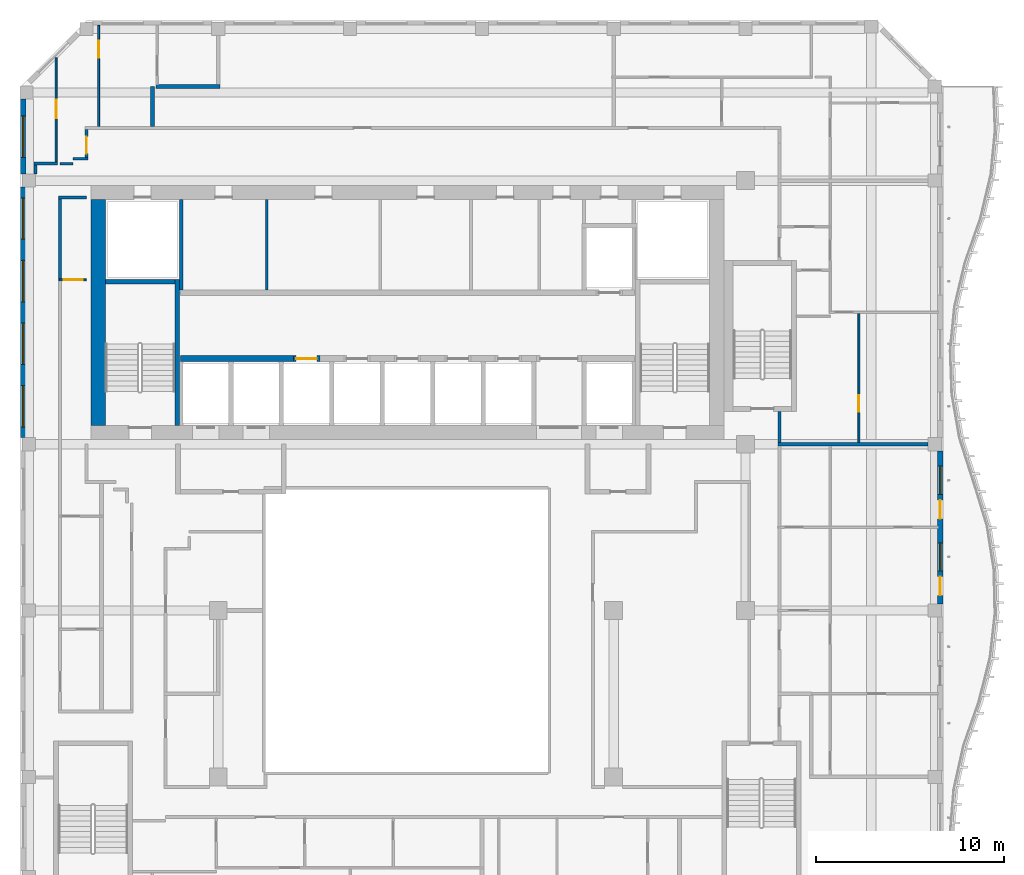
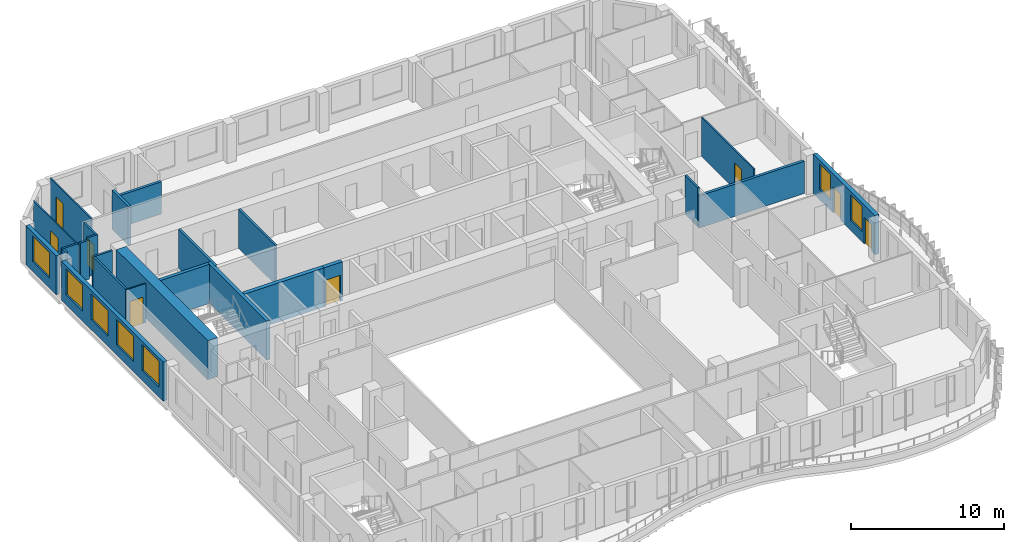
# One storey, part 6 of 19: 25 walls, 8 doors, 7 windows, 15 openings.
"""IFC4 building model written with IfcOpenShell, lengths in metres."""

import ifcopenshell
import ifcopenshell.guid

model = None  # the IFC model being written
_history = None  # IfcOwnerHistory: only IFC2X3 demands one
_inside = {}  # id of a spatial element -> (the spatial element, [elements in it])
_under = {}  # id of a project, library or spatial element -> (it, [spatial elements below it])
_declared = {}  # id of a project -> (the project, [libraries it declares])
_typed = {}  # id of a type object -> (the type object, [elements of that type])
_made_of = {}  # id of a material, layer set ... -> (it, [elements and type objects made of it])


def new_model(schema):
    """Start an empty IFC model of exactly this schema.

    Asked for "IFC4X3", IfcOpenShell would pick the latest addendum, in which some entities
    have other attributes; the version numbers below select the first issue.
    IFC2X3 requires an IfcOwnerHistory on every rooted entity: one is made here for all.
    """
    global model, _history
    if schema == "IFC4X3":
        model = ifcopenshell.file(schema_version=(4, 3, 0, 0))
    else:
        model = ifcopenshell.file(schema=schema)
    _inside.clear()
    _under.clear()
    _declared.clear()
    _typed.clear()
    _made_of.clear()
    _history = None
    if model.schema == "IFC2X3":
        org = make("IfcOrganization", Name="unknown")
        user = make(
            "IfcPersonAndOrganization",
            ThePerson=make("IfcPerson", FamilyName="unknown"),
            TheOrganization=org,
        )
        app = make(
            "IfcApplication",
            ApplicationDeveloper=org,
            Version="unknown",
            ApplicationFullName="unknown",
            ApplicationIdentifier="unknown",
        )
        _history = make(
            "IfcOwnerHistory",
            OwningUser=user,
            OwningApplication=app,
            ChangeAction="ADDED",
            CreationDate=0,
        )
    return model


def make(cls, **values):
    """One entity of the class cls with the attributes given. An attribute that is None is left unset."""
    return model.create_entity(
        cls, **{name: value for name, value in values.items() if value is not None}
    )


def rooted(cls, **values):
    """An entity with a GlobalId (a new one), such as an element, a storey or a relation."""
    return make(cls, GlobalId=ifcopenshell.guid.new(), OwnerHistory=_history, **values)


def si_unit(unit_type, name, prefix=None):
    """IfcSIUnit, for example si_unit("LENGTHUNIT", "METRE", prefix="MILLI")."""
    return make("IfcSIUnit", UnitType=unit_type, Prefix=prefix, Name=name)


def assignment(units):
    """IfcUnitAssignment: the units of a project."""
    return None if units is None else make("IfcUnitAssignment", Units=units)


def point(xyz):
    """IfcCartesianPoint."""
    return None if xyz is None else make("IfcCartesianPoint", Coordinates=xyz)


def direction(xyz):
    """IfcDirection."""
    return None if xyz is None else make("IfcDirection", DirectionRatios=xyz)


def frame(location, z_axis=None, x_axis=None):
    """IfcAxis2Placement3D, a coordinate frame: its origin and axes. An axis left out is left unset."""
    return make(
        "IfcAxis2Placement3D",
        Location=point(location),
        Axis=direction(z_axis),
        RefDirection=direction(x_axis),
    )


def frame_2d(location, x_axis=None):
    """IfcAxis2Placement2D, a coordinate frame in the plane: its origin and x axis."""
    return make(
        "IfcAxis2Placement2D", Location=point(location), RefDirection=direction(x_axis)
    )


def origin():
    """The frame at (0, 0, 0) with its axes left unset."""
    return frame((0.0, 0.0, 0.0))


def place(relative_to, where):
    """IfcLocalPlacement: puts the frame where relative to a parent placement (None: the world)."""
    return make(
        "IfcLocalPlacement", PlacementRelTo=relative_to, RelativePlacement=where
    )


def context(
    kind, dimensions, precision=None, world=None, true_north=None, identifier=None
):
    """IfcGeometricRepresentationContext, for example the 3D "Model" context."""
    return make(
        "IfcGeometricRepresentationContext",
        ContextIdentifier=identifier,
        ContextType=kind,
        CoordinateSpaceDimension=dimensions,
        Precision=precision,
        WorldCoordinateSystem=world,
        TrueNorth=true_north,
    )


def subcontext(parent, identifier, kind, view, scale=None):
    """IfcGeometricRepresentationSubContext, for example "Body" below "Model"."""
    return make(
        "IfcGeometricRepresentationSubContext",
        ContextIdentifier=identifier,
        ContextType=kind,
        ParentContext=parent,
        TargetScale=scale,
        TargetView=view,
    )


def project(units=None, contexts=None):
    """IfcProject with its units and contexts."""
    return rooted(
        "IfcProject",
        Name="project",
        RepresentationContexts=contexts,
        UnitsInContext=assignment(units),
    )


def spatial(cls, under=None, at=None, **own):
    """A site, building, storey or space (cls), placed at a placement, below another one or the project."""
    s = rooted(cls, ObjectPlacement=at, **own)
    if under is not None:
        _under.setdefault(under.id(), (under, []))[1].append(s)
    return s


def profile(cls, at=None, kind="AREA", **sizes):
    """A parametric profile (cls). Its sizes go by their IFC names, for example OverallWidth=200.0."""
    return make(cls, ProfileType=kind, Position=at, **sizes)


def rectangle(**sizes):
    """IfcRectangleProfileDef."""
    return profile("IfcRectangleProfileDef", **sizes)


def extrude(swept, where, along, depth):
    """IfcExtrudedAreaSolid: the profile swept, set in the frame where, extruded along a direction by depth."""
    return make(
        "IfcExtrudedAreaSolid",
        SweptArea=swept,
        Position=where,
        ExtrudedDirection=direction(along),
        Depth=depth,
    )


def shape(context_of_items, identifier, shape_type, items):
    """IfcShapeRepresentation: the items that make up one representation, for example the "Body"."""
    return make(
        "IfcShapeRepresentation",
        ContextOfItems=context_of_items,
        RepresentationIdentifier=identifier,
        RepresentationType=shape_type,
        Items=items,
    )


def source(mapping_origin, context_of_items, identifier, shape_type, items):
    """IfcRepresentationMap: a shape defined once, which mapped items show again and again."""
    return make(
        "IfcRepresentationMap",
        MappingOrigin=mapping_origin,
        MappedRepresentation=shape(context_of_items, identifier, shape_type, items),
    )


def transform(
    local_origin,
    x_axis=None,
    y_axis=None,
    z_axis=None,
    scale=None,
    scale2=None,
    scale3=None,
    uniform=True,
):
    """IfcCartesianTransformationOperator3D, or its non-uniform kind. x_axis, y_axis, z_axis: its Axis1, 2, 3."""
    if uniform:
        return make(
            "IfcCartesianTransformationOperator3D",
            Axis1=direction(x_axis),
            Axis2=direction(y_axis),
            LocalOrigin=point(local_origin),
            Scale=scale,
            Axis3=direction(z_axis),
        )
    return make(
        "IfcCartesianTransformationOperator3DnonUniform",
        Axis1=direction(x_axis),
        Axis2=direction(y_axis),
        LocalOrigin=point(local_origin),
        Scale=scale,
        Axis3=direction(z_axis),
        Scale2=scale2,
        Scale3=scale3,
    )


def mapped(mapping_source, mapping_target):
    """IfcMappedItem: shows the shape of a source again, moved by a transform."""
    return make(
        "IfcMappedItem", MappingSource=mapping_source, MappingTarget=mapping_target
    )


def material(Name=None, Category=None):
    """IfcMaterial."""
    return make("IfcMaterial", Name=Name, Category=Category)


def layer(
    of_material, thickness, ventilated=None, Name=None, Category=None, Priority=None
):
    """IfcMaterialLayer: one layer of a wall or slab, of a material (None: an air gap)."""
    return make(
        "IfcMaterialLayer",
        Material=of_material,
        LayerThickness=thickness,
        IsVentilated=ventilated,
        Name=Name,
        Category=Category,
        Priority=Priority,
    )


def layer_set(layers, Name=None):
    """IfcMaterialLayerSet."""
    return make("IfcMaterialLayerSet", MaterialLayers=layers, LayerSetName=Name)


def made_of(thing, what):
    """Note that an element or type object is made of a material, layer set ...; save() writes the relation."""
    if what is not None:
        _made_of.setdefault(what.id(), (what, []))[1].append(thing)
    return thing


def type_object(cls, material=None, **own):
    """A type object (cls), such as IfcWallType, which elements share."""
    return made_of(rooted(cls, **own), material)


def element(
    cls,
    number,
    at=None,
    inside=None,
    cuts=None,
    type_object=None,
    material=None,
    context=None,
    identifier="Body",
    shape_type=None,
    held_by="IfcProductDefinitionShape",
    body=None,
    shapes=None,
    **own,
):
    """One element of the class cls, such as IfcWall. Its Tag is "e" and its number.

    at: its placement. inside: the storey or other place that contains it. cuts: it is an
    opening in that element (IfcRelVoidsElement). A single representation is given by context,
    identifier, shape_type and body (its items); several are given by shapes. held_by: the class
    of the entity that holds the representations. save() writes the other relations.
    """
    e = rooted(cls, Tag="e%d" % number, ObjectPlacement=at, **own)
    if body is not None:
        shapes = [shape(context, identifier, shape_type, body)]
    if shapes is not None:
        e.Representation = make(held_by, Representations=shapes)
    if inside is not None:
        _inside.setdefault(inside.id(), (inside, []))[1].append(e)
    if cuts is not None:
        rooted(
            "IfcRelVoidsElement", RelatingBuildingElement=cuts, RelatedOpeningElement=e
        )
    if type_object is not None:
        _typed.setdefault(type_object.id(), (type_object, []))[1].append(e)
    return made_of(e, material)


def fill(opening, filler):
    """IfcRelFillsElement: the door or window that sits in an opening."""
    return rooted(
        "IfcRelFillsElement",
        RelatingOpeningElement=opening,
        RelatedBuildingElement=filler,
    )


def aggregate(whole, parts):
    """IfcRelAggregates: a whole, such as a stair, and the parts it consists of."""
    return rooted("IfcRelAggregates", RelatingObject=whole, RelatedObjects=parts)


def save(model, path):
    """Write the relations noted so far, then the file.

    IfcRelAggregates (storeys below a building ...), IfcRelContainedInSpatialStructure (elements
    in a storey), IfcRelDefinesByType, IfcRelAssociatesMaterial and IfcRelDeclares: one each for
    every whole, place, type object, material and project.
    """
    for whole, parts in _under.values():
        aggregate(whole, parts)
    for where, things in _inside.values():
        rooted(
            "IfcRelContainedInSpatialStructure",
            RelatedElements=things,
            RelatingStructure=where,
        )
    for kind, things in _typed.values():
        rooted("IfcRelDefinesByType", RelatedObjects=things, RelatingType=kind)
    for what, things in _made_of.values():
        rooted("IfcRelAssociatesMaterial", RelatedObjects=things, RelatingMaterial=what)
    for by, libraries in _declared.values():
        rooted("IfcRelDeclares", RelatingContext=by, RelatedDefinitions=libraries)
    model.write(path)


model = new_model("IFC4")

# Units and contexts
model_context = context("Model", 3, precision=1e-05, world=origin(), true_north=direction((0.0, 1.0)))
body_context = subcontext(model_context, "Body", "Model", "MODEL_VIEW")
ifc_project = project(units=[si_unit("LENGTHUNIT", "METRE"), si_unit("AREAUNIT", "SQUARE_METRE"), si_unit("VOLUMEUNIT", "CUBIC_METRE"), si_unit("PLANEANGLEUNIT", "RADIAN"), si_unit("MASSUNIT", "GRAM", prefix="KILO")], contexts=[model_context])

# Site, building, storey
site_placement = place(None, origin())
site = spatial("IfcSite", under=ifc_project, at=site_placement, CompositionType="ELEMENT")
building_placement = place(site_placement, origin())
building = spatial("IfcBuilding", under=site, at=building_placement, Name="Kilnfold Tower and Market Hall", CompositionType="ELEMENT")
storey_placement = place(building_placement, frame((0.0, 0.0, 242.39990234375)))
storey = spatial("IfcBuildingStorey", under=building, at=storey_placement, Name="L58", CompositionType="ELEMENT", Elevation=242.39990234375)

# Walls
ifc_material_1 = material(Name="Gypsum board on steel studs", Category="steel")
ifc_layer_1 = layer(ifc_material_1, 0.14990234375)
ifc_layer_set_1 = layer_set([ifc_layer_1], Name="Gypsum board on steel studs")
wall_type_1 = type_object("IfcWallType", Name="WALL CORRIDOR 150", PredefinedType="PARTITIONING", material=ifc_layer_set_1)
wall_1_placement = place(storey_placement, frame((-17.47509765625, 21.10009765625, 0.0), z_axis=(0.0, 0.0, 1.0), x_axis=(1.0, 0.0, 0.0)))
element("IfcWall", 1, at=wall_1_placement, inside=storey, type_object=wall_type_1, Name="Partition LY35.7", PredefinedType="PARTITIONING", context=body_context, shape_type="SweptSolid", body=[
    extrude(rectangle(XDim=1.47509765625, YDim=0.14990234375, at=frame_2d((0.737548828125, 0.0))), origin(), (0.0, 0.0, 1.0), 3.1201171875),
])
wall_2_placement = place(storey_placement, frame((-17.39990234375, 16.77099609375, 0.0), z_axis=(0.0, 0.0, 1.0), x_axis=(0.0, 1.0, 0.0)))
element("IfcWall", 2, at=wall_2_placement, inside=storey, type_object=wall_type_1, Name="Partition LY35.8", PredefinedType="PARTITIONING", context=body_context, shape_type="SweptSolid", body=[
    extrude(rectangle(XDim=4.25390625, YDim=0.14990234375, at=frame_2d((2.126953125, 0.0))), origin(), (0.0, 0.0, 1.0), 3.1201171875),
])
wall_3_placement = place(storey_placement, frame((20.800048828125, 8.090087890625, 0.0), z_axis=(0.0, 0.0, 1.0), x_axis=(0.0, 1.0, 0.0)))
element("IfcWall", 3, at=wall_3_placement, inside=storey, type_object=wall_type_1, Name="Partition LY35.16", PredefinedType="PARTITIONING", context=body_context, shape_type="SweptSolid", body=[
    extrude(rectangle(XDim=1.659912109375, YDim=0.14990234375, at=frame_2d((0.830078125, 0.0))), origin(), (0.0, 0.0, 1.0), 3.1201171875),
])
wall_4_placement = place(storey_placement, frame((-17.550048828125, 22.902099609375, 0.0), z_axis=(0.0, 0.0, 1.0), x_axis=(-1.0, 0.0, 0.0)))
element("IfcWall", 4, at=wall_4_placement, inside=storey, type_object=wall_type_1, Name="Partition LY35.22", PredefinedType="PARTITIONING", context=body_context, shape_type="SweptSolid", body=[
    extrude(rectangle(XDim=1.22705078125, YDim=0.14990234375, at=frame_2d((0.613525390625, 0.0))), origin(), (0.0, 0.0, 1.0), 3.1201171875),
])
wall_5_placement = place(storey_placement, frame((-18.701904296875, 22.826904296875, 0.0), z_axis=(0.0, 0.0, 1.0), x_axis=(0.0, -1.0, 0.0)))
element("IfcWall", 5, at=wall_5_placement, inside=storey, type_object=wall_type_1, Name="Partition LY35.23", PredefinedType="PARTITIONING", context=body_context, shape_type="SweptSolid", body=[
    extrude(rectangle(XDim=0.476806640625, YDim=0.14990234375, at=frame_2d((0.23828125, 0.0))), origin(), (0.0, 0.0, 1.0), 3.1201171875),
])
wall_6_placement = place(storey_placement, frame((-16.7119140625, 22.89990234375, 0.0), z_axis=(0.0, 0.0, 1.0), x_axis=(-1.0, 0.0, 0.0)))
element("IfcWall", 6, at=wall_6_placement, inside=storey, type_object=wall_type_1, Name="Partition LY35.24", PredefinedType="PARTITIONING", context=body_context, shape_type="SweptSolid", body=[
    extrude(rectangle(XDim=0.68603515625, YDim=0.14990234375, at=frame_2d((0.343017578125, 0.0))), origin(), (0.0, 0.0, 1.0), 3.1201171875),
])
wall_7_placement = place(storey_placement, frame((-15.925048828125, 23.1630859375, 0.0), z_axis=(0.0, 0.0, 1.0), x_axis=(-1.0, 0.0, 0.0)))
element("IfcWall", 7, at=wall_7_placement, inside=storey, type_object=wall_type_1, Name="Partition LY35.25", PredefinedType="PARTITIONING", context=body_context, shape_type="SweptSolid", body=[
    extrude(rectangle(XDim=0.786865234375, YDim=0.14990234375, at=frame_2d((0.3935546875, 0.0))), origin(), (0.0, 0.0, 1.0), 3.1201171875),
])

# Wall, opening, door
wall_8_placement = place(storey_placement, frame((-16.0, 23.238037109375, 0.0), z_axis=(0.0, 0.0, 1.0), x_axis=(0.0, 1.0, 0.0)))
wall_8 = element("IfcWall", 8, at=wall_8_placement, inside=storey, type_object=wall_type_1, Name="Partition LY35.26", PredefinedType="PARTITIONING", context=body_context, shape_type="SweptSolid", body=[
    extrude(rectangle(XDim=1.487060546875, YDim=0.14990234375, at=frame_2d((0.74365234375, 0.0))), origin(), (0.0, 0.0, 1.0), 3.1201171875),
])
opening_1_placement = place(wall_8_placement, frame((0.199951171875, 0.0, 0.0)))
opening_1 = element("IfcOpeningElement", 9, at=opening_1_placement, cuts=wall_8, Name="Opening D2", PredefinedType="OPENING", context=body_context, shape_type="SweptSolid", body=[
    extrude(rectangle(XDim=0.89990234375, YDim=2.10009765625, at=frame_2d((0.449951171875, 1.050048828125))), frame((0.0, 0.0849609375, 0.0), z_axis=(0.0, -1.0, 0.0), x_axis=(1.0, 0.0, 0.0)), (0.0, 0.0, 1.0), 0.169921875),
])
ifc_material_2 = material(Name="Timber veneer door leaf in steel frame", Category="steel")
door_type_1 = type_object("IfcDoorType", Name="DOOR ROOM 900 X2100", OperationType="NOTDEFINED", PredefinedType="DOOR", material=ifc_material_2)
door_1_placement = place(opening_1_placement, origin())
door_1 = element("IfcDoor", 10, at=door_1_placement, inside=storey, type_object=door_type_1, Name="Door D2", OperationType="SINGLE_SWING_RIGHT", OverallHeight=2.10009765625, OverallWidth=0.89990234375, PredefinedType="DOOR", context=body_context, shape_type="SweptSolid", body=[
    extrude(rectangle(XDim=0.89990234375, YDim=2.10009765625, at=frame_2d((0.449951171875, 1.050048828125))), frame((0.0, 0.02490234375, 0.0), z_axis=(0.0, -1.0, 0.0), x_axis=(1.0, 0.0, 0.0)), (0.0, 0.0, 1.0), 0.050048828125),
])
fill(opening_1, door_1)

ifc_material_3 = material(Name="Gypsum board on steel studs", Category="steel")
ifc_layer_2 = layer(ifc_material_3, 0.10009765625)
ifc_layer_set_2 = layer_set([ifc_layer_2], Name="Gypsum board on steel studs")
wall_type_2 = type_object("IfcWallType", Name="WALL PARTITION 100", PredefinedType="PARTITIONING", material=ifc_layer_set_2)
wall_9_placement = place(storey_placement, frame((-16.0, 16.73095703125, 0.0), z_axis=(0.0, 0.0, 1.0), x_axis=(-1.0, 0.0, 0.0)))
wall_9 = element("IfcWall", 11, at=wall_9_placement, inside=storey, type_object=wall_type_2, Name="Partition LY35.52", PredefinedType="PARTITIONING", context=body_context, shape_type="SweptSolid", body=[
    extrude(rectangle(XDim=1.472900390625, YDim=0.10009765625, at=frame_2d((0.736328125, 0.0))), origin(), (0.0, 0.0, 1.0), 3.1201171875),
])
opening_2_placement = place(wall_9_placement, frame((0.199951171875, 0.0, 0.0)))
opening_2 = element("IfcOpeningElement", 12, at=opening_2_placement, cuts=wall_9, Name="Opening D1", PredefinedType="OPENING", context=body_context, shape_type="SweptSolid", body=[
    extrude(rectangle(XDim=1.0, YDim=2.10009765625, at=frame_2d((0.5, 1.050048828125))), frame((0.0, 0.06005859375, 0.0), z_axis=(0.0, -1.0, 0.0), x_axis=(1.0, 0.0, 0.0)), (0.0, 0.0, 1.0), 0.1201171875),
])
ifc_material_4 = material(Name="Timber veneer door leaf in steel frame", Category="steel")
door_type_2 = type_object("IfcDoorType", Name="DOOR ENTRY 1000 X2100", OperationType="NOTDEFINED", PredefinedType="DOOR", material=ifc_material_4)
door_2_placement = place(opening_2_placement, origin())
door_2 = element("IfcDoor", 13, at=door_2_placement, inside=storey, type_object=door_type_2, Name="Door D1", OperationType="SINGLE_SWING_LEFT", OverallHeight=2.10009765625, OverallWidth=1.0, PredefinedType="DOOR", context=body_context, shape_type="SweptSolid", body=[
    extrude(rectangle(XDim=1.0, YDim=2.10009765625, at=frame_2d((0.5, 1.050048828125))), frame((0.0, 0.02490234375, 0.0), z_axis=(0.0, -1.0, 0.0), x_axis=(1.0, 0.0, 0.0)), (0.0, 0.0, 1.0), 0.050048828125),
])
fill(opening_2, door_2)

wall_10_placement = place(storey_placement, frame((25.02587890625, 8.10009765625, 0.0), z_axis=(0.0, 0.0, 1.0), x_axis=(0.0, 1.0, 0.0)))
wall_10 = element("IfcWall", 14, at=wall_10_placement, inside=storey, type_object=wall_type_2, Name="Partition LY35.80", PredefinedType="PARTITIONING", context=body_context, shape_type="SweptSolid", body=[
    extrude(rectangle(XDim=6.849853515625, YDim=0.10009765625, at=frame_2d((3.4248046875, 0.0))), origin(), (0.0, 0.0, 1.0), 3.1201171875),
])
opening_3_placement = place(wall_10_placement, frame((1.613037109375, 0.0, 0.0)))
opening_3 = element("IfcOpeningElement", 15, at=opening_3_placement, cuts=wall_10, Name="Opening D2", PredefinedType="OPENING", context=body_context, shape_type="SweptSolid", body=[
    extrude(rectangle(XDim=0.89990234375, YDim=2.10009765625, at=frame_2d((0.449951171875, 1.050048828125))), frame((0.0, 0.06005859375, 0.0), z_axis=(0.0, -1.0, 0.0), x_axis=(1.0, 0.0, 0.0)), (0.0, 0.0, 1.0), 0.1201171875),
])
door_3_placement = place(opening_3_placement, origin())
door_3 = element("IfcDoor", 16, at=door_3_placement, inside=storey, type_object=door_type_1, Name="Door D2", OperationType="SINGLE_SWING_LEFT", OverallHeight=2.10009765625, OverallWidth=0.89990234375, PredefinedType="DOOR", context=body_context, shape_type="SweptSolid", body=[
    extrude(rectangle(XDim=0.89990234375, YDim=2.10009765625, at=frame_2d((0.449951171875, 1.050048828125))), frame((0.0, 0.02490234375, 0.0), z_axis=(0.0, -1.0, 0.0), x_axis=(1.0, 0.0, 0.0)), (0.0, 0.0, 1.0), 0.050048828125),
])
fill(opening_3, door_3)

wall_11_placement = place(storey_placement, frame((-17.610107421875, 22.97705078125, 0.0), z_axis=(0.0, 0.0, 1.0), x_axis=(0.0, 1.0, 0.0)))
wall_11 = element("IfcWall", 17, at=wall_11_placement, inside=storey, type_object=wall_type_2, Name="Partition LY35.102", PredefinedType="PARTITIONING", context=body_context, shape_type="SweptSolid", body=[
    extrude(rectangle(XDim=5.558837890625, YDim=0.10009765625, at=frame_2d((2.779296875, 0.0))), origin(), (0.0, 0.0, 1.0), 3.1201171875),
])
opening_4_placement = place(wall_11_placement, frame((2.330078125, 0.0, 0.0)))
opening_4 = element("IfcOpeningElement", 18, at=opening_4_placement, cuts=wall_11, Name="Opening D1", PredefinedType="OPENING", context=body_context, shape_type="SweptSolid", body=[
    extrude(rectangle(XDim=1.0, YDim=2.10009765625, at=frame_2d((0.5, 1.050048828125))), frame((0.0, 0.06005859375, 0.0), z_axis=(0.0, -1.0, 0.0), x_axis=(1.0, 0.0, 0.0)), (0.0, 0.0, 1.0), 0.1201171875),
])
door_4_placement = place(opening_4_placement, origin())
door_4 = element("IfcDoor", 19, at=door_4_placement, inside=storey, type_object=door_type_2, Name="Door D1", OperationType="SINGLE_SWING_RIGHT", OverallHeight=2.10009765625, OverallWidth=1.0, PredefinedType="DOOR", context=body_context, shape_type="SweptSolid", body=[
    extrude(rectangle(XDim=1.0, YDim=2.10009765625, at=frame_2d((0.5, 1.050048828125))), frame((0.0, 0.02490234375, 0.0), z_axis=(0.0, -1.0, 0.0), x_axis=(1.0, 0.0, 0.0)), (0.0, 0.0, 1.0), 0.050048828125),
])
fill(opening_4, door_4)

wall_12_placement = place(storey_placement, frame((-15.35498046875, 24.876953125, 0.0), z_axis=(0.0, 0.0, 1.0), x_axis=(0.0, 1.0, 0.0)))
wall_12 = element("IfcWall", 20, at=wall_12_placement, inside=storey, type_object=wall_type_2, Name="Partition LY35.103", PredefinedType="PARTITIONING", context=body_context, shape_type="SweptSolid", body=[
    extrude(rectangle(XDim=5.373046875, YDim=0.10009765625, at=frame_2d((2.6865234375, 0.0))), origin(), (0.0, 0.0, 1.0), 3.1201171875),
])
opening_5_placement = place(wall_12_placement, frame((3.662109375, 0.0, 0.0)))
opening_5 = element("IfcOpeningElement", 21, at=opening_5_placement, cuts=wall_12, Name="Opening D2", PredefinedType="OPENING", context=body_context, shape_type="SweptSolid", body=[
    extrude(rectangle(XDim=0.89990234375, YDim=2.10009765625, at=frame_2d((0.449951171875, 1.050048828125))), frame((0.0, 0.06005859375, 0.0), z_axis=(0.0, -1.0, 0.0), x_axis=(1.0, 0.0, 0.0)), (0.0, 0.0, 1.0), 0.1201171875),
])
door_5_placement = place(opening_5_placement, origin())
door_5 = element("IfcDoor", 22, at=door_5_placement, inside=storey, type_object=door_type_1, Name="Door D2", OperationType="SINGLE_SWING_LEFT", OverallHeight=2.10009765625, OverallWidth=0.89990234375, PredefinedType="DOOR", context=body_context, shape_type="SweptSolid", body=[
    extrude(rectangle(XDim=0.89990234375, YDim=2.10009765625, at=frame_2d((0.449951171875, 1.050048828125))), frame((0.0, 0.02490234375, 0.0), z_axis=(0.0, -1.0, 0.0), x_axis=(1.0, 0.0, 0.0)), (0.0, 0.0, 1.0), 0.050048828125),
])
fill(opening_5, door_5)

# Walls
ifc_material_5 = material(Name="Gypsum board on steel studs", Category="steel")
ifc_layer_3 = layer(ifc_material_5, 0.199951171875)
ifc_layer_set_3 = layer_set([ifc_layer_3], Name="Gypsum board on steel studs")
wall_type_3 = type_object("IfcWallType", Name="WALL PARTY 200", PredefinedType="PARTITIONING", material=ifc_layer_set_3)
wall_13_placement = place(storey_placement, frame((20.72705078125, 8.0, 0.0), z_axis=(0.0, 0.0, 1.0), x_axis=(1.0, 0.0, 0.0)))
element("IfcWall", 23, at=wall_13_placement, inside=storey, type_object=wall_type_3, Name="Partition LY35.79", PredefinedType="PARTITIONING", context=body_context, shape_type="SweptSolid", body=[
    extrude(rectangle(XDim=7.972900390625, YDim=0.199951171875, at=frame_2d((3.986328125, 0.0))), origin(), (0.0, 0.0, 1.0), 2.570068359375),
])
wall_14_placement = place(storey_placement, frame((-12.5, 27.0, 0.0), z_axis=(0.0, 0.0, 1.0), x_axis=(0.0, -1.0, 0.0)))
element("IfcWall", 24, at=wall_14_placement, inside=storey, type_object=wall_type_3, Name="Partition LY35.99", PredefinedType="PARTITIONING", context=body_context, shape_type="SweptSolid", body=[
    extrude(rectangle(XDim=2.123046875, YDim=0.199951171875, at=frame_2d((1.0615234375, 0.0))), origin(), (0.0, 0.0, 1.0), 3.1201171875),
])
wall_15_placement = place(storey_placement, frame((-8.89990234375, 27.0, 0.0), z_axis=(0.0, 0.0, 1.0), x_axis=(-1.0, 0.0, 0.0)))
element("IfcWall", 25, at=wall_15_placement, inside=storey, type_object=wall_type_3, Name="Partition LY35.100", PredefinedType="PARTITIONING", context=body_context, shape_type="SweptSolid", body=[
    extrude(rectangle(XDim=3.41015625, YDim=0.199951171875, at=frame_2d((1.705078125, 0.0))), origin(), (0.0, 0.0, 1.0), 2.570068359375),
])
ifc_material_6 = material(Name="Concrete C60", Category="concrete")
ifc_layer_4 = layer(ifc_material_6, 0.25)
ifc_layer_set_4 = layer_set([ifc_layer_4], Name="Concrete C60")
wall_type_4 = type_object("IfcWallType", Name="CORE WALL 250 C60", PredefinedType="SHEAR", material=ifc_layer_set_4)
shared_shape_1 = source(origin(), body_context, "Body", "SweptSolid", [
    extrude(rectangle(XDim=7.75, YDim=0.25, at=frame_2d((3.875, 0.0))), origin(), (0.0, 0.0, 1.0), 3.1201171875),
])
wall_16_placement = place(storey_placement, frame((-11.175048828125, 9.0, 0.0), z_axis=(0.0, 0.0, 1.0), x_axis=(0.0, 1.0, 0.0)))
element("IfcWall", 26, at=wall_16_placement, inside=storey, type_object=wall_type_4, Name="Stair enclosure ST1", PredefinedType="SHEAR", context=body_context, shape_type="MappedRepresentation", body=[
    mapped(shared_shape_1, transform((0.0, 0.0, 0.0))),
])
shared_shape_2 = source(origin(), body_context, "Body", "SweptSolid", [
    extrude(rectangle(XDim=3.699951171875, YDim=0.25, at=frame_2d((1.85009765625, 0.0))), origin(), (0.0, 0.0, 1.0), 3.1201171875),
])
wall_17_placement = place(storey_placement, frame((-15.0, 16.625, 0.0), z_axis=(0.0, 0.0, 1.0), x_axis=(1.0, 0.0, 0.0)))
element("IfcWall", 27, at=wall_17_placement, inside=storey, type_object=wall_type_4, Name="Stair enclosure ST1", PredefinedType="SHEAR", context=body_context, shape_type="MappedRepresentation", body=[
    mapped(shared_shape_2, transform((0.0, 0.0, 0.0))),
])
ifc_material_7 = material(Name="Concrete C60", Category="concrete")
ifc_layer_5 = layer(ifc_material_7, 0.300048828125)
ifc_layer_set_5 = layer_set([ifc_layer_5], Name="Concrete C60")
wall_type_5 = type_object("IfcWallType", Name="CORE WALL 300 C60", PredefinedType="SHEAR", material=ifc_layer_set_5)
shared_shape_3 = source(origin(), body_context, "Body", "SweptSolid", [
    extrude(rectangle(XDim=6.0, YDim=0.300048828125, at=frame_2d((3.0, 0.0))), origin(), (0.0, 0.0, 1.0), 3.1201171875),
])
wall_18_placement = place(storey_placement, frame((-11.010009765625, 12.550048828125, 0.0), z_axis=(0.0, 0.0, 1.0), x_axis=(1.0, 0.0, 0.0)))
element("IfcWall", 28, at=wall_18_placement, inside=storey, type_object=wall_type_5, Name="Core spine wall", PredefinedType="SHEAR", context=body_context, shape_type="MappedRepresentation", body=[
    mapped(shared_shape_3, transform((0.0, 0.0, 0.0))),
])
ifc_material_8 = material(Name="Concrete C60", Category="concrete")
ifc_layer_6 = layer(ifc_material_8, 0.75)
ifc_layer_set_6 = layer_set([ifc_layer_6], Name="Concrete C60")
wall_type_6 = type_object("IfcWallType", Name="CORE WALL 750 C60", PredefinedType="SHEAR", material=ifc_layer_set_6)
shared_shape_4 = source(origin(), body_context, "Body", "SweptSolid", [
    extrude(rectangle(XDim=12.0, YDim=0.75, at=frame_2d((6.0, 0.0))), origin(), (0.0, 0.0, 1.0), 3.1201171875),
])
wall_19_placement = place(storey_placement, frame((-15.375, 9.0, 0.0), z_axis=(0.0, 0.0, 1.0), x_axis=(0.0, 1.0, 0.0)))
element("IfcWall", 29, at=wall_19_placement, inside=storey, type_object=wall_type_6, Name="Core outer wall west", PredefinedType="SHEAR", context=body_context, shape_type="MappedRepresentation", body=[
    mapped(shared_shape_4, transform((0.0, 0.0, 0.0))),
])

# Wall, openings, doors, windows
ifc_material_9 = material(Name="Precast concrete C50/60", Category="concrete")
ifc_layer_7 = layer(ifc_material_9, 0.300048828125)
ifc_layer_set_7 = layer_set([ifc_layer_7], Name="Precast concrete C50/60")
wall_type_7 = type_object("IfcWallType", Name="PRECAST WALL 300", PredefinedType="SOLIDWALL", material=ifc_layer_set_7)
shared_shape_5 = source(origin(), body_context, "Body", "SweptSolid", [
    extrude(rectangle(XDim=8.13330078125, YDim=0.300048828125, at=frame_2d((4.066650390625, 0.0))), origin(), (0.0, 0.0, 1.0), 3.1201171875),
])
wall_20_placement = place(storey_placement, frame((29.35009765625, -0.4833984375, 0.0), z_axis=(0.0, 0.0, 1.0), x_axis=(0.0, 1.0, 0.0)))
wall_20 = element("IfcWall", 30, at=wall_20_placement, inside=storey, type_object=wall_type_7, Name="External wall L58 E", PredefinedType="SOLIDWALL", context=body_context, shape_type="MappedRepresentation", body=[
    mapped(shared_shape_5, transform((0.0, 0.0, 0.0))),
])
opening_6_placement = place(wall_20_placement, frame((1.75, 0.0, 0.800048828125)))
opening_6 = element("IfcOpeningElement", 31, at=opening_6_placement, cuts=wall_20, Name="Opening W5", PredefinedType="OPENING", context=body_context, shape_type="SweptSolid", body=[
    extrude(rectangle(XDim=1.5, YDim=2.050048828125, at=frame_2d((0.75, 1.02490234375))), frame((0.0, 0.16015625, 0.0), z_axis=(0.0, -1.0, 0.0), x_axis=(1.0, 0.0, 0.0)), (0.0, 0.0, 1.0), 0.320068359375),
])
opening_7_placement = place(wall_20_placement, frame((0.449951171875, 0.0, 0.0)))
opening_7 = element("IfcOpeningElement", 32, at=opening_7_placement, cuts=wall_20, Name="Opening BD1", PredefinedType="OPENING", context=body_context, shape_type="SweptSolid", body=[
    extrude(rectangle(XDim=1.0, YDim=2.10009765625, at=frame_2d((0.5, 1.050048828125))), frame((0.0, 0.16015625, 0.0), z_axis=(0.0, -1.0, 0.0), x_axis=(1.0, 0.0, 0.0)), (0.0, 0.0, 1.0), 0.320068359375),
])
opening_8_placement = place(wall_20_placement, frame((5.816650390625, 0.0, 0.800048828125)))
opening_8 = element("IfcOpeningElement", 33, at=opening_8_placement, cuts=wall_20, Name="Opening W5", PredefinedType="OPENING", context=body_context, shape_type="SweptSolid", body=[
    extrude(rectangle(XDim=1.5, YDim=2.050048828125, at=frame_2d((0.75, 1.02490234375))), frame((0.0, 0.16015625, 0.0), z_axis=(0.0, -1.0, 0.0), x_axis=(1.0, 0.0, 0.0)), (0.0, 0.0, 1.0), 0.320068359375),
])
opening_9_placement = place(wall_20_placement, frame((4.5166015625, 0.0, 0.0)))
opening_9 = element("IfcOpeningElement", 34, at=opening_9_placement, cuts=wall_20, Name="Opening BD1", PredefinedType="OPENING", context=body_context, shape_type="SweptSolid", body=[
    extrude(rectangle(XDim=1.0, YDim=2.10009765625, at=frame_2d((0.5, 1.050048828125))), frame((0.0, 0.16015625, 0.0), z_axis=(0.0, -1.0, 0.0), x_axis=(1.0, 0.0, 0.0)), (0.0, 0.0, 1.0), 0.320068359375),
])
ifc_material_10 = material(Name="Aluminium frame and double glazing", Category="aluminium")
door_type_3 = type_object("IfcDoorType", Name="BALCONY DOOR 1000X2100", OperationType="NOTDEFINED", PredefinedType="DOOR", material=ifc_material_10)
door_6_placement = place(opening_7_placement, origin())
door_6 = element("IfcDoor", 35, at=door_6_placement, inside=storey, type_object=door_type_3, Name="Balcony door BD1 L58 E-1", OperationType="SINGLE_SWING_LEFT", OverallHeight=2.10009765625, OverallWidth=1.0, PredefinedType="DOOR", context=body_context, shape_type="SweptSolid", body=[
    extrude(rectangle(XDim=1.0, YDim=2.10009765625, at=frame_2d((0.5, 1.050048828125))), frame((0.0, 0.02490234375, 0.0), z_axis=(0.0, -1.0, 0.0), x_axis=(1.0, 0.0, 0.0)), (0.0, 0.0, 1.0), 0.050048828125),
])
fill(opening_7, door_6)
door_7_placement = place(opening_9_placement, origin())
door_7 = element("IfcDoor", 36, at=door_7_placement, inside=storey, type_object=door_type_3, Name="Balcony door BD1 L58 E-2", OperationType="SINGLE_SWING_RIGHT", OverallHeight=2.10009765625, OverallWidth=1.0, PredefinedType="DOOR", context=body_context, shape_type="SweptSolid", body=[
    extrude(rectangle(XDim=1.0, YDim=2.10009765625, at=frame_2d((0.5, 1.050048828125))), frame((0.0, 0.02490234375, 0.0), z_axis=(0.0, -1.0, 0.0), x_axis=(1.0, 0.0, 0.0)), (0.0, 0.0, 1.0), 0.050048828125),
])
fill(opening_9, door_7)
ifc_material_11 = material(Name="Aluminium frame and double glazing", Category="aluminium")
window_type_1 = type_object("IfcWindowType", Name="WINDOW W5 1500X2050", PartitioningType="SINGLE_PANEL", PredefinedType="WINDOW", material=ifc_material_11)
window_1_placement = place(opening_6_placement, origin())
window_1 = element("IfcWindow", 37, at=window_1_placement, inside=storey, type_object=window_type_1, Name="Window W5 L58 E-1", OverallHeight=2.050048828125, OverallWidth=1.5, PartitioningType="SINGLE_PANEL", PredefinedType="WINDOW", context=body_context, shape_type="SweptSolid", body=[
    extrude(rectangle(XDim=1.5, YDim=2.050048828125, at=frame_2d((0.75, 1.02490234375))), frame((0.0, 0.030029296875, 0.0), z_axis=(0.0, -1.0, 0.0), x_axis=(1.0, 0.0, 0.0)), (0.0, 0.0, 1.0), 0.06005859375),
])
fill(opening_6, window_1)
window_2_placement = place(opening_8_placement, origin())
window_2 = element("IfcWindow", 38, at=window_2_placement, inside=storey, type_object=window_type_1, Name="Window W5 L58 E-2", OverallHeight=2.050048828125, OverallWidth=1.5, PartitioningType="SINGLE_PANEL", PredefinedType="WINDOW", context=body_context, shape_type="SweptSolid", body=[
    extrude(rectangle(XDim=1.5, YDim=2.050048828125, at=frame_2d((0.75, 1.02490234375))), frame((0.0, 0.030029296875, 0.0), z_axis=(0.0, -1.0, 0.0), x_axis=(1.0, 0.0, 0.0)), (0.0, 0.0, 1.0), 0.06005859375),
])
fill(opening_8, window_2)

# Wall, openings, windows
shared_shape_6 = source(origin(), body_context, "Body", "SweptSolid", [
    extrude(rectangle(XDim=13.2998046875, YDim=0.300048828125, at=frame_2d((6.64990234375, 0.0))), origin(), (0.0, 0.0, 1.0), 3.1201171875),
])
wall_21_placement = place(storey_placement, frame((-19.35009765625, 21.64990234375, 0.0), z_axis=(0.0, 0.0, 1.0), x_axis=(0.0, -1.0, 0.0)))
wall_21 = element("IfcWall", 39, at=wall_21_placement, inside=storey, type_object=wall_type_7, Name="External wall L58 W", PredefinedType="SOLIDWALL", context=body_context, shape_type="MappedRepresentation", body=[
    mapped(shared_shape_6, transform((0.0, 0.0, 0.0))),
])
opening_10_placement = place(wall_21_placement, frame((0.5625, 0.0, 0.800048828125)))
opening_10 = element("IfcOpeningElement", 40, at=opening_10_placement, cuts=wall_21, Name="Opening W3", PredefinedType="OPENING", context=body_context, shape_type="SweptSolid", body=[
    extrude(rectangle(XDim=2.199951171875, YDim=2.050048828125, at=frame_2d((1.10009765625, 1.02490234375))), frame((0.0, 0.16015625, 0.0), z_axis=(0.0, -1.0, 0.0), x_axis=(1.0, 0.0, 0.0)), (0.0, 0.0, 1.0), 0.320068359375),
])
opening_11_placement = place(wall_21_placement, frame((3.887451171875, 0.0, 0.800048828125)))
opening_11 = element("IfcOpeningElement", 41, at=opening_11_placement, cuts=wall_21, Name="Opening W3", PredefinedType="OPENING", context=body_context, shape_type="SweptSolid", body=[
    extrude(rectangle(XDim=2.199951171875, YDim=2.050048828125, at=frame_2d((1.10009765625, 1.02490234375))), frame((0.0, 0.16015625, 0.0), z_axis=(0.0, -1.0, 0.0), x_axis=(1.0, 0.0, 0.0)), (0.0, 0.0, 1.0), 0.320068359375),
])
opening_12_placement = place(wall_21_placement, frame((7.21240234375, 0.0, 0.800048828125)))
opening_12 = element("IfcOpeningElement", 42, at=opening_12_placement, cuts=wall_21, Name="Opening W3", PredefinedType="OPENING", context=body_context, shape_type="SweptSolid", body=[
    extrude(rectangle(XDim=2.199951171875, YDim=2.050048828125, at=frame_2d((1.10009765625, 1.02490234375))), frame((0.0, 0.16015625, 0.0), z_axis=(0.0, -1.0, 0.0), x_axis=(1.0, 0.0, 0.0)), (0.0, 0.0, 1.0), 0.320068359375),
])
opening_13_placement = place(wall_21_placement, frame((10.53759765625, 0.0, 0.800048828125)))
opening_13 = element("IfcOpeningElement", 43, at=opening_13_placement, cuts=wall_21, Name="Opening W3", PredefinedType="OPENING", context=body_context, shape_type="SweptSolid", body=[
    extrude(rectangle(XDim=2.199951171875, YDim=2.050048828125, at=frame_2d((1.10009765625, 1.02490234375))), frame((0.0, 0.16015625, 0.0), z_axis=(0.0, -1.0, 0.0), x_axis=(1.0, 0.0, 0.0)), (0.0, 0.0, 1.0), 0.320068359375),
])
ifc_material_12 = material(Name="Aluminium frame and double glazing", Category="aluminium")
window_type_2 = type_object("IfcWindowType", Name="WINDOW W3 2200X2050", PartitioningType="SINGLE_PANEL", PredefinedType="WINDOW", material=ifc_material_12)
window_3_placement = place(opening_10_placement, origin())
window_3 = element("IfcWindow", 44, at=window_3_placement, inside=storey, type_object=window_type_2, Name="Window W3 L58 W-1", OverallHeight=2.050048828125, OverallWidth=2.199951171875, PartitioningType="SINGLE_PANEL", PredefinedType="WINDOW", context=body_context, shape_type="SweptSolid", body=[
    extrude(rectangle(XDim=2.199951171875, YDim=2.050048828125, at=frame_2d((1.10009765625, 1.02490234375))), frame((0.0, 0.030029296875, 0.0), z_axis=(0.0, -1.0, 0.0), x_axis=(1.0, 0.0, 0.0)), (0.0, 0.0, 1.0), 0.06005859375),
])
fill(opening_10, window_3)
window_4_placement = place(opening_11_placement, origin())
window_4 = element("IfcWindow", 45, at=window_4_placement, inside=storey, type_object=window_type_2, Name="Window W3 L58 W-2", OverallHeight=2.050048828125, OverallWidth=2.199951171875, PartitioningType="SINGLE_PANEL", PredefinedType="WINDOW", context=body_context, shape_type="SweptSolid", body=[
    extrude(rectangle(XDim=2.199951171875, YDim=2.050048828125, at=frame_2d((1.10009765625, 1.02490234375))), frame((0.0, 0.030029296875, 0.0), z_axis=(0.0, -1.0, 0.0), x_axis=(1.0, 0.0, 0.0)), (0.0, 0.0, 1.0), 0.06005859375),
])
fill(opening_11, window_4)
window_5_placement = place(opening_12_placement, origin())
window_5 = element("IfcWindow", 46, at=window_5_placement, inside=storey, type_object=window_type_2, Name="Window W3 L58 W-3", OverallHeight=2.050048828125, OverallWidth=2.199951171875, PartitioningType="SINGLE_PANEL", PredefinedType="WINDOW", context=body_context, shape_type="SweptSolid", body=[
    extrude(rectangle(XDim=2.199951171875, YDim=2.050048828125, at=frame_2d((1.10009765625, 1.02490234375))), frame((0.0, 0.030029296875, 0.0), z_axis=(0.0, -1.0, 0.0), x_axis=(1.0, 0.0, 0.0)), (0.0, 0.0, 1.0), 0.06005859375),
])
fill(opening_12, window_5)
window_6_placement = place(opening_13_placement, origin())
window_6 = element("IfcWindow", 47, at=window_6_placement, inside=storey, type_object=window_type_2, Name="Window W3 L58 W-4", OverallHeight=2.050048828125, OverallWidth=2.199951171875, PartitioningType="SINGLE_PANEL", PredefinedType="WINDOW", context=body_context, shape_type="SweptSolid", body=[
    extrude(rectangle(XDim=2.199951171875, YDim=2.050048828125, at=frame_2d((1.10009765625, 1.02490234375))), frame((0.0, 0.030029296875, 0.0), z_axis=(0.0, -1.0, 0.0), x_axis=(1.0, 0.0, 0.0)), (0.0, 0.0, 1.0), 0.06005859375),
])
fill(opening_13, window_6)

# Wall, opening, window
shared_shape_7 = source(origin(), body_context, "Body", "SweptSolid", [
    extrude(rectangle(XDim=3.981689453125, YDim=0.300048828125, at=frame_2d((1.99072265625, 0.0))), origin(), (0.0, 0.0, 1.0), 3.1201171875),
])
wall_22_placement = place(storey_placement, frame((-19.35009765625, 26.331787109375, 0.0), z_axis=(0.0, 0.0, 1.0), x_axis=(0.0, -1.0, 0.0)))
wall_22 = element("IfcWall", 48, at=wall_22_placement, inside=storey, type_object=wall_type_7, Name="External wall L58 W", PredefinedType="SOLIDWALL", context=body_context, shape_type="MappedRepresentation", body=[
    mapped(shared_shape_7, transform((0.0, 0.0, 0.0))),
])
opening_14_placement = place(wall_22_placement, frame((0.890869140625, 0.0, 0.800048828125)))
opening_14 = element("IfcOpeningElement", 49, at=opening_14_placement, cuts=wall_22, Name="Opening W3", PredefinedType="OPENING", context=body_context, shape_type="SweptSolid", body=[
    extrude(rectangle(XDim=2.199951171875, YDim=2.050048828125, at=frame_2d((1.10009765625, 1.02490234375))), frame((0.0, 0.16015625, 0.0), z_axis=(0.0, -1.0, 0.0), x_axis=(1.0, 0.0, 0.0)), (0.0, 0.0, 1.0), 0.320068359375),
])
window_7_placement = place(opening_14_placement, origin())
window_7 = element("IfcWindow", 50, at=window_7_placement, inside=storey, type_object=window_type_2, Name="Window W3 L58 W-1", OverallHeight=2.050048828125, OverallWidth=2.199951171875, PartitioningType="SINGLE_PANEL", PredefinedType="WINDOW", context=body_context, shape_type="SweptSolid", body=[
    extrude(rectangle(XDim=2.199951171875, YDim=2.050048828125, at=frame_2d((1.10009765625, 1.02490234375))), frame((0.0, 0.030029296875, 0.0), z_axis=(0.0, -1.0, 0.0), x_axis=(1.0, 0.0, 0.0)), (0.0, 0.0, 1.0), 0.06005859375),
])
fill(opening_14, window_7)

# Wall, opening, door
ifc_material_13 = material(Name="Gypsum shaft wall system")
ifc_layer_8 = layer(ifc_material_13, 0.300048828125)
ifc_layer_set_8 = layer_set([ifc_layer_8], Name="Gypsum shaft wall system")
wall_type_8 = type_object("IfcWallType", Name="SHAFT WALL 300", PredefinedType="PARTITIONING", material=ifc_layer_set_8)
shared_shape_8 = source(origin(), body_context, "Body", "SweptSolid", [
    extrude(rectangle(XDim=1.39990234375, YDim=0.300048828125, at=frame_2d((0.699951171875, 0.0))), origin(), (0.0, 0.0, 1.0), 3.1201171875),
])
wall_23_placement = place(storey_placement, frame((-5.010009765625, 12.550048828125, 0.0), z_axis=(0.0, 0.0, 1.0), x_axis=(1.0, 0.0, 0.0)))
wall_23 = element("IfcWall", 51, at=wall_23_placement, inside=storey, type_object=wall_type_8, Name="Lift shaft front wall", PredefinedType="PARTITIONING", context=body_context, shape_type="MappedRepresentation", body=[
    mapped(shared_shape_8, transform((0.0, 0.0, 0.0))),
])
opening_15_placement = place(wall_23_placement, frame((0.14990234375, 0.0, 0.0)))
opening_15 = element("IfcOpeningElement", 52, at=opening_15_placement, cuts=wall_23, Name="Opening LD2", PredefinedType="OPENING", context=body_context, shape_type="SweptSolid", body=[
    extrude(rectangle(XDim=1.10009765625, YDim=2.10009765625, at=frame_2d((0.550048828125, 1.050048828125))), frame((0.0, 0.16015625, 0.0), z_axis=(0.0, -1.0, 0.0), x_axis=(1.0, 0.0, 0.0)), (0.0, 0.0, 1.0), 0.320068359375),
])
ifc_material_14 = material(Name="Steel door set with fire-resisting leaf", Category="steel")
door_type_4 = type_object("IfcDoorType", Name="LANDING DOOR 1100X2100", OperationType="NOTDEFINED", PredefinedType="DOOR", material=ifc_material_14)
door_8_placement = place(opening_15_placement, origin())
door_8 = element("IfcDoor", 53, at=door_8_placement, inside=storey, type_object=door_type_4, Name="Landing door HR1", OperationType="DOUBLE_DOOR_SLIDING", OverallHeight=2.10009765625, OverallWidth=1.10009765625, PredefinedType="DOOR", context=body_context, shape_type="SweptSolid", body=[
    extrude(rectangle(XDim=1.10009765625, YDim=2.10009765625, at=frame_2d((0.550048828125, 1.050048828125))), frame((0.0, 0.02490234375, 0.0), z_axis=(0.0, -1.0, 0.0), x_axis=(1.0, 0.0, 0.0)), (0.0, 0.0, 1.0), 0.050048828125),
])
fill(opening_15, door_8)

# Walls
ifc_material_15 = material(Name="Gypsum shaft wall system")
ifc_layer_9 = layer(ifc_material_15, 0.1650390625)
ifc_layer_set_9 = layer_set([ifc_layer_9], Name="Gypsum shaft wall system")
wall_type_9 = type_object("IfcWallType", Name="SHAFT WALL 165", PredefinedType="PARTITIONING", material=ifc_layer_set_9)
shared_shape_9 = source(origin(), body_context, "Body", "SweptSolid", [
    extrude(rectangle(XDim=4.800048828125, YDim=0.1650390625, at=frame_2d((2.39990234375, 0.0))), origin(), (0.0, 0.0, 1.0), 3.1201171875),
])
wall_24_placement = place(storey_placement, frame((-10.967529296875, 16.199951171875, 0.0), z_axis=(0.0, 0.0, 1.0), x_axis=(0.0, 1.0, 0.0)))
element("IfcWall", 54, at=wall_24_placement, inside=storey, type_object=wall_type_9, Name="Lift shaft wall", PredefinedType="PARTITIONING", context=body_context, shape_type="MappedRepresentation", body=[
    mapped(shared_shape_9, transform((0.0, 0.0, 0.0))),
])
ifc_material_16 = material(Name="Gypsum shaft wall system")
ifc_layer_10 = layer(ifc_material_16, 0.14990234375)
ifc_layer_set_10 = layer_set([ifc_layer_10], Name="Gypsum shaft wall system")
wall_type_10 = type_object("IfcWallType", Name="ROOM WALL 150", PredefinedType="PARTITIONING", material=ifc_layer_set_10)
shared_shape_10 = source(origin(), body_context, "Body", "SweptSolid", [
    extrude(rectangle(XDim=4.800048828125, YDim=0.14990234375, at=frame_2d((2.39990234375, 0.0))), origin(), (0.0, 0.0, 1.0), 3.1201171875),
])
wall_25_placement = place(storey_placement, frame((-6.42724609375, 16.199951171875, 0.0), z_axis=(0.0, 0.0, 1.0), x_axis=(0.0, 1.0, 0.0)))
element("IfcWall", 55, at=wall_25_placement, inside=storey, type_object=wall_type_10, Name="Core room wall", PredefinedType="PARTITIONING", context=body_context, shape_type="MappedRepresentation", body=[
    mapped(shared_shape_10, transform((0.0, 0.0, 0.0))),
])

save(model, "model.ifc")
